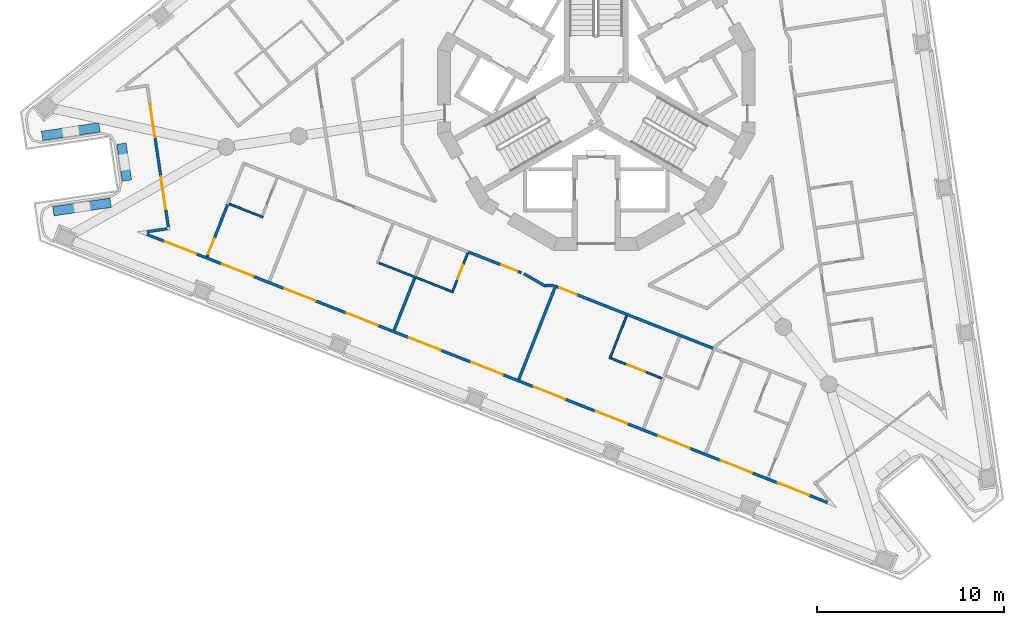
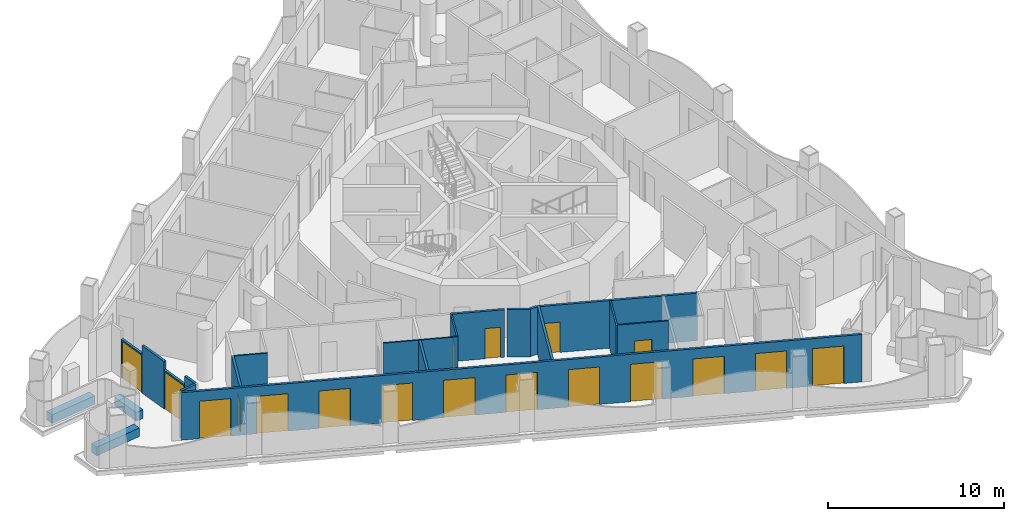
# One storey, part 2 of 16: 21 walls, 18 doors, 18 openings.
"""IFC4 building model written with IfcOpenShell, lengths in metres."""

from ifc_helpers import new_model, si_unit, direction, frame, frame_2d, origin, place, context, subcontext, project, spatial, polyline, rectangle, outline, extrude, material, layer, layer_set, type_object, element, fill, save


model = new_model("IFC4")

# Units and contexts
model_context = context("Model", 3, precision=1e-05, world=origin(), true_north=direction((0.0, 1.0)))
body_context = subcontext(model_context, "Body", "Model", "MODEL_VIEW")
ifc_project = project(units=[si_unit("LENGTHUNIT", "METRE"), si_unit("AREAUNIT", "SQUARE_METRE"), si_unit("VOLUMEUNIT", "CUBIC_METRE"), si_unit("PLANEANGLEUNIT", "RADIAN"), si_unit("MASSUNIT", "GRAM", prefix="KILO")], contexts=[model_context])

# Site, building, storey
site_placement = place(None, origin())
site = spatial("IfcSite", under=ifc_project, at=site_placement, CompositionType="ELEMENT")
building_placement = place(site_placement, origin())
building = spatial("IfcBuilding", under=site, at=building_placement, Name="Trine Commons Tower", CompositionType="ELEMENT")
storey_placement = place(building_placement, frame((0.0, 0.0, 201.60009765625)))
storey = spatial("IfcBuildingStorey", under=building, at=storey_placement, Name="L52", CompositionType="ELEMENT", Elevation=201.60009765625)

# Wall, openings, doors
ifc_material_1 = material(Name="Aluminium-framed insulated wall panel", Category="aluminium")
ifc_layer_1 = layer(ifc_material_1, 0.14990234375)
ifc_layer_set_1 = layer_set([ifc_layer_1], Name="Aluminium-framed insulated wall panel")
wall_type_1 = type_object("IfcWallType", Name="Glazed frame wall 150, EI 60", PredefinedType="SOLIDWALL", material=ifc_layer_set_1)
wall_1_placement = place(storey_placement, frame((92.513916015625, 40.4541015625, 0.0), z_axis=(0.0, 0.0, 1.0), x_axis=(-0.930417922313, 0.3665003272, 0.0)))
wall_1 = element("IfcWall", 1, at=wall_1_placement, inside=storey, type_object=wall_type_1, Name="Glazed frame wall F3", PredefinedType="SOLIDWALL", context=body_context, shape_type="SweptSolid", body=[
    extrude(outline(polyline([(0.1494140625, 0.074951171875), (0.1494140625, -0.074951171875), (39.296875, -0.074951171875), (39.296875, 0.074951171875), (0.1494140625, 0.074951171875)])), origin(), (0.0, 0.0, 1.0), 3.2998046875),
])
opening_1_placement = place(wall_1_placement, frame((1.193115234375, 0.0, 0.0)))
opening_1 = element("IfcOpeningElement", 2, at=opening_1_placement, cuts=wall_1, Name="Opening BD-6F3-01", PredefinedType="OPENING", context=body_context, shape_type="SweptSolid", body=[
    extrude(rectangle(XDim=1.800048828125, YDim=2.60009765625, at=frame_2d((0.89990234375, 1.300048828125))), frame((0.0, 0.0849609375, 0.0), z_axis=(0.0, -1.0, 0.0), x_axis=(1.0, 0.0, 0.0)), (0.0, 0.0, 1.0), 0.169921875),
])
opening_2_placement = place(wall_1_placement, frame((4.47900390625, 0.0, 0.0)))
opening_2 = element("IfcOpeningElement", 3, at=opening_2_placement, cuts=wall_1, Name="Opening BD-6F3-02", PredefinedType="OPENING", context=body_context, shape_type="SweptSolid", body=[
    extrude(rectangle(XDim=1.800048828125, YDim=2.60009765625, at=frame_2d((0.89990234375, 1.300048828125))), frame((0.0, 0.0849609375, 0.0), z_axis=(0.0, -1.0, 0.0), x_axis=(1.0, 0.0, 0.0)), (0.0, 0.0, 1.0), 0.169921875),
])
opening_3_placement = place(wall_1_placement, frame((8.06494140625, 0.0, 0.0)))
opening_3 = element("IfcOpeningElement", 4, at=opening_3_placement, cuts=wall_1, Name="Opening BD-6F3-03", PredefinedType="OPENING", context=body_context, shape_type="SweptSolid", body=[
    extrude(rectangle(XDim=1.800048828125, YDim=2.60009765625, at=frame_2d((0.89990234375, 1.300048828125))), frame((0.0, 0.0849609375, 0.0), z_axis=(0.0, -1.0, 0.0), x_axis=(1.0, 0.0, 0.0)), (0.0, 0.0, 1.0), 0.169921875),
])
opening_4_placement = place(wall_1_placement, frame((11.65087890625, 0.0, 0.0)))
opening_4 = element("IfcOpeningElement", 5, at=opening_4_placement, cuts=wall_1, Name="Opening BD-6F3-04", PredefinedType="OPENING", context=body_context, shape_type="SweptSolid", body=[
    extrude(rectangle(XDim=1.800048828125, YDim=2.60009765625, at=frame_2d((0.89990234375, 1.300048828125))), frame((0.0, 0.0849609375, 0.0), z_axis=(0.0, -1.0, 0.0), x_axis=(1.0, 0.0, 0.0)), (0.0, 0.0, 1.0), 0.169921875),
])
opening_5_placement = place(wall_1_placement, frame((15.237060546875, 0.0, 0.0)))
opening_5 = element("IfcOpeningElement", 6, at=opening_5_placement, cuts=wall_1, Name="Opening BD-6F3-05", PredefinedType="OPENING", context=body_context, shape_type="SweptSolid", body=[
    extrude(rectangle(XDim=1.800048828125, YDim=2.60009765625, at=frame_2d((0.89990234375, 1.300048828125))), frame((0.0, 0.0849609375, 0.0), z_axis=(0.0, -1.0, 0.0), x_axis=(1.0, 0.0, 0.0)), (0.0, 0.0, 1.0), 0.169921875),
])
opening_6_placement = place(wall_1_placement, frame((18.822998046875, 0.0, 0.0)))
opening_6 = element("IfcOpeningElement", 7, at=opening_6_placement, cuts=wall_1, Name="Opening BD-6F3-06", PredefinedType="OPENING", context=body_context, shape_type="SweptSolid", body=[
    extrude(rectangle(XDim=1.800048828125, YDim=2.60009765625, at=frame_2d((0.89990234375, 1.300048828125))), frame((0.0, 0.0849609375, 0.0), z_axis=(0.0, -1.0, 0.0), x_axis=(1.0, 0.0, 0.0)), (0.0, 0.0, 1.0), 0.169921875),
])
opening_7_placement = place(wall_1_placement, frame((22.408935546875, 0.0, 0.0)))
opening_7 = element("IfcOpeningElement", 8, at=opening_7_placement, cuts=wall_1, Name="Opening BD-6F3-07", PredefinedType="OPENING", context=body_context, shape_type="SweptSolid", body=[
    extrude(rectangle(XDim=1.800048828125, YDim=2.60009765625, at=frame_2d((0.89990234375, 1.300048828125))), frame((0.0, 0.0849609375, 0.0), z_axis=(0.0, -1.0, 0.0), x_axis=(1.0, 0.0, 0.0)), (0.0, 0.0, 1.0), 0.169921875),
])
opening_8_placement = place(wall_1_placement, frame((25.9951171875, 0.0, 0.0)))
opening_8 = element("IfcOpeningElement", 9, at=opening_8_placement, cuts=wall_1, Name="Opening BD-6F3-08", PredefinedType="OPENING", context=body_context, shape_type="SweptSolid", body=[
    extrude(rectangle(XDim=1.800048828125, YDim=2.60009765625, at=frame_2d((0.89990234375, 1.300048828125))), frame((0.0, 0.0849609375, 0.0), z_axis=(0.0, -1.0, 0.0), x_axis=(1.0, 0.0, 0.0)), (0.0, 0.0, 1.0), 0.169921875),
])
opening_9_placement = place(wall_1_placement, frame((29.5810546875, 0.0, 0.0)))
opening_9 = element("IfcOpeningElement", 10, at=opening_9_placement, cuts=wall_1, Name="Opening BD-6F3-09", PredefinedType="OPENING", context=body_context, shape_type="SweptSolid", body=[
    extrude(rectangle(XDim=1.800048828125, YDim=2.60009765625, at=frame_2d((0.89990234375, 1.300048828125))), frame((0.0, 0.0849609375, 0.0), z_axis=(0.0, -1.0, 0.0), x_axis=(1.0, 0.0, 0.0)), (0.0, 0.0, 1.0), 0.169921875),
])
opening_10_placement = place(wall_1_placement, frame((33.1669921875, 0.0, 0.0)))
opening_10 = element("IfcOpeningElement", 11, at=opening_10_placement, cuts=wall_1, Name="Opening BD-6F3-10", PredefinedType="OPENING", context=body_context, shape_type="SweptSolid", body=[
    extrude(rectangle(XDim=1.800048828125, YDim=2.60009765625, at=frame_2d((0.89990234375, 1.300048828125))), frame((0.0, 0.0849609375, 0.0), z_axis=(0.0, -1.0, 0.0), x_axis=(1.0, 0.0, 0.0)), (0.0, 0.0, 1.0), 0.169921875),
])
opening_11_placement = place(wall_1_placement, frame((36.452880859375, 0.0, 0.0)))
opening_11 = element("IfcOpeningElement", 12, at=opening_11_placement, cuts=wall_1, Name="Opening BD-6F3-11", PredefinedType="OPENING", context=body_context, shape_type="SweptSolid", body=[
    extrude(rectangle(XDim=1.800048828125, YDim=2.60009765625, at=frame_2d((0.89990234375, 1.300048828125))), frame((0.0, 0.0849609375, 0.0), z_axis=(0.0, -1.0, 0.0), x_axis=(1.0, 0.0, 0.0)), (0.0, 0.0, 1.0), 0.169921875),
])
ifc_material_2 = material(Name="Anodised aluminium frame with double glazing", Category="aluminium")
door_type_1 = type_object("IfcDoorType", Name="Sliding loggia door 1800x2600", OperationType="SLIDING_TO_LEFT", PredefinedType="DOOR", material=ifc_material_2)
door_1_placement = place(opening_1_placement, origin())
door_1 = element("IfcDoor", 13, at=door_1_placement, inside=storey, type_object=door_type_1, Name="Loggia door F3 1", OperationType="SLIDING_TO_LEFT", OverallHeight=2.60009765625, OverallWidth=1.800048828125, PredefinedType="DOOR", context=body_context, shape_type="SweptSolid", body=[
    extrude(rectangle(XDim=1.800048828125, YDim=2.60009765625, at=frame_2d((0.89990234375, 1.300048828125))), frame((0.0, 0.02490234375, 0.0), z_axis=(0.0, -1.0, 0.0), x_axis=(1.0, 0.0, 0.0)), (0.0, 0.0, 1.0), 0.050048828125),
])
fill(opening_1, door_1)
door_2_placement = place(opening_2_placement, origin())
door_2 = element("IfcDoor", 14, at=door_2_placement, inside=storey, type_object=door_type_1, Name="Loggia door F3 2", OperationType="SLIDING_TO_LEFT", OverallHeight=2.60009765625, OverallWidth=1.800048828125, PredefinedType="DOOR", context=body_context, shape_type="SweptSolid", body=[
    extrude(rectangle(XDim=1.800048828125, YDim=2.60009765625, at=frame_2d((0.89990234375, 1.300048828125))), frame((0.0, 0.02490234375, 0.0), z_axis=(0.0, -1.0, 0.0), x_axis=(1.0, 0.0, 0.0)), (0.0, 0.0, 1.0), 0.050048828125),
])
fill(opening_2, door_2)
door_3_placement = place(opening_3_placement, origin())
door_3 = element("IfcDoor", 15, at=door_3_placement, inside=storey, type_object=door_type_1, Name="Loggia door F3 3", OperationType="SLIDING_TO_LEFT", OverallHeight=2.60009765625, OverallWidth=1.800048828125, PredefinedType="DOOR", context=body_context, shape_type="SweptSolid", body=[
    extrude(rectangle(XDim=1.800048828125, YDim=2.60009765625, at=frame_2d((0.89990234375, 1.300048828125))), frame((0.0, 0.02490234375, 0.0), z_axis=(0.0, -1.0, 0.0), x_axis=(1.0, 0.0, 0.0)), (0.0, 0.0, 1.0), 0.050048828125),
])
fill(opening_3, door_3)
door_4_placement = place(opening_4_placement, origin())
door_4 = element("IfcDoor", 16, at=door_4_placement, inside=storey, type_object=door_type_1, Name="Loggia door F3 4", OperationType="SLIDING_TO_LEFT", OverallHeight=2.60009765625, OverallWidth=1.800048828125, PredefinedType="DOOR", context=body_context, shape_type="SweptSolid", body=[
    extrude(rectangle(XDim=1.800048828125, YDim=2.60009765625, at=frame_2d((0.89990234375, 1.300048828125))), frame((0.0, 0.02490234375, 0.0), z_axis=(0.0, -1.0, 0.0), x_axis=(1.0, 0.0, 0.0)), (0.0, 0.0, 1.0), 0.050048828125),
])
fill(opening_4, door_4)
door_5_placement = place(opening_5_placement, origin())
door_5 = element("IfcDoor", 17, at=door_5_placement, inside=storey, type_object=door_type_1, Name="Loggia door F3 5", OperationType="SLIDING_TO_LEFT", OverallHeight=2.60009765625, OverallWidth=1.800048828125, PredefinedType="DOOR", context=body_context, shape_type="SweptSolid", body=[
    extrude(rectangle(XDim=1.800048828125, YDim=2.60009765625, at=frame_2d((0.89990234375, 1.300048828125))), frame((0.0, 0.02490234375, 0.0), z_axis=(0.0, -1.0, 0.0), x_axis=(1.0, 0.0, 0.0)), (0.0, 0.0, 1.0), 0.050048828125),
])
fill(opening_5, door_5)
door_6_placement = place(opening_6_placement, origin())
door_6 = element("IfcDoor", 18, at=door_6_placement, inside=storey, type_object=door_type_1, Name="Loggia door F3 6", OperationType="SLIDING_TO_LEFT", OverallHeight=2.60009765625, OverallWidth=1.800048828125, PredefinedType="DOOR", context=body_context, shape_type="SweptSolid", body=[
    extrude(rectangle(XDim=1.800048828125, YDim=2.60009765625, at=frame_2d((0.89990234375, 1.300048828125))), frame((0.0, 0.02490234375, 0.0), z_axis=(0.0, -1.0, 0.0), x_axis=(1.0, 0.0, 0.0)), (0.0, 0.0, 1.0), 0.050048828125),
])
fill(opening_6, door_6)
door_7_placement = place(opening_7_placement, origin())
door_7 = element("IfcDoor", 19, at=door_7_placement, inside=storey, type_object=door_type_1, Name="Loggia door F3 7", OperationType="SLIDING_TO_LEFT", OverallHeight=2.60009765625, OverallWidth=1.800048828125, PredefinedType="DOOR", context=body_context, shape_type="SweptSolid", body=[
    extrude(rectangle(XDim=1.800048828125, YDim=2.60009765625, at=frame_2d((0.89990234375, 1.300048828125))), frame((0.0, 0.02490234375, 0.0), z_axis=(0.0, -1.0, 0.0), x_axis=(1.0, 0.0, 0.0)), (0.0, 0.0, 1.0), 0.050048828125),
])
fill(opening_7, door_7)
door_8_placement = place(opening_8_placement, origin())
door_8 = element("IfcDoor", 20, at=door_8_placement, inside=storey, type_object=door_type_1, Name="Loggia door F3 8", OperationType="SLIDING_TO_LEFT", OverallHeight=2.60009765625, OverallWidth=1.800048828125, PredefinedType="DOOR", context=body_context, shape_type="SweptSolid", body=[
    extrude(rectangle(XDim=1.800048828125, YDim=2.60009765625, at=frame_2d((0.89990234375, 1.300048828125))), frame((0.0, 0.02490234375, 0.0), z_axis=(0.0, -1.0, 0.0), x_axis=(1.0, 0.0, 0.0)), (0.0, 0.0, 1.0), 0.050048828125),
])
fill(opening_8, door_8)
door_9_placement = place(opening_9_placement, origin())
door_9 = element("IfcDoor", 21, at=door_9_placement, inside=storey, type_object=door_type_1, Name="Loggia door F3 9", OperationType="SLIDING_TO_LEFT", OverallHeight=2.60009765625, OverallWidth=1.800048828125, PredefinedType="DOOR", context=body_context, shape_type="SweptSolid", body=[
    extrude(rectangle(XDim=1.800048828125, YDim=2.60009765625, at=frame_2d((0.89990234375, 1.300048828125))), frame((0.0, 0.02490234375, 0.0), z_axis=(0.0, -1.0, 0.0), x_axis=(1.0, 0.0, 0.0)), (0.0, 0.0, 1.0), 0.050048828125),
])
fill(opening_9, door_9)
door_10_placement = place(opening_10_placement, origin())
door_10 = element("IfcDoor", 22, at=door_10_placement, inside=storey, type_object=door_type_1, Name="Loggia door F3 10", OperationType="SLIDING_TO_LEFT", OverallHeight=2.60009765625, OverallWidth=1.800048828125, PredefinedType="DOOR", context=body_context, shape_type="SweptSolid", body=[
    extrude(rectangle(XDim=1.800048828125, YDim=2.60009765625, at=frame_2d((0.89990234375, 1.300048828125))), frame((0.0, 0.02490234375, 0.0), z_axis=(0.0, -1.0, 0.0), x_axis=(1.0, 0.0, 0.0)), (0.0, 0.0, 1.0), 0.050048828125),
])
fill(opening_10, door_10)
door_11_placement = place(opening_11_placement, origin())
door_11 = element("IfcDoor", 23, at=door_11_placement, inside=storey, type_object=door_type_1, Name="Loggia door F3 11", OperationType="SLIDING_TO_LEFT", OverallHeight=2.60009765625, OverallWidth=1.800048828125, PredefinedType="DOOR", context=body_context, shape_type="SweptSolid", body=[
    extrude(rectangle(XDim=1.800048828125, YDim=2.60009765625, at=frame_2d((0.89990234375, 1.300048828125))), frame((0.0, 0.02490234375, 0.0), z_axis=(0.0, -1.0, 0.0), x_axis=(1.0, 0.0, 0.0)), (0.0, 0.0, 1.0), 0.050048828125),
])
fill(opening_11, door_11)

# Walls
wall_2_placement = place(storey_placement, frame((55.8203125, 54.978515625, 0.0), z_axis=(0.0, 0.0, 1.0), x_axis=(0.98902141065, 0.147772288596, 0.0)))
element("IfcWall", 24, at=wall_2_placement, inside=storey, type_object=wall_type_1, Name="Glazed frame wall R10", PredefinedType="SOLIDWALL", context=body_context, shape_type="SweptSolid", body=[
    extrude(outline(polyline([(0.1494140625, 0.074951171875), (0.1494140625, -0.074951171875), (1.235107421875, -0.074951171875), (1.235107421875, 0.074951171875), (0.1494140625, 0.074951171875)])), origin(), (0.0, 0.0, 1.0), 3.2998046875),
])
wall_3_placement = place(storey_placement, frame((57.12109375, 55.137451171875, 0.0), z_axis=(0.0, 0.0, 1.0), x_axis=(-0.147946480694, 0.988995368468, 0.0)))
element("IfcWall", 25, at=wall_3_placement, inside=storey, type_object=wall_type_1, Name="Glazed frame wall P3.1", PredefinedType="SOLIDWALL", context=body_context, shape_type="SweptSolid", body=[
    extrude(outline(polyline([(0.110107421875, -0.074951171875), (1.0, -0.074951171875), (1.0, 0.074951171875), (0.110107421875, 0.074951171875), (0.110107421875, -0.074951171875)])), origin(), (0.0, 0.0, 1.0), 3.2998046875),
])

# Wall, opening, door
wall_4_placement = place(storey_placement, frame((56.97314453125, 56.12646484375, 0.0), z_axis=(0.0, 0.0, 1.0), x_axis=(-0.147768643441, 0.989021955275, 0.0)))
wall_4 = element("IfcWall", 26, at=wall_4_placement, inside=storey, type_object=wall_type_1, Name="Glazed frame wall P3.2", PredefinedType="SOLIDWALL", context=body_context, shape_type="SweptSolid", body=[
    extrude(outline(polyline([(0.0, -0.074951171875), (1.89990234375, -0.074951171875), (1.89990234375, 0.074951171875), (0.0, 0.074951171875), (0.0, -0.074951171875)])), origin(), (0.0, 0.0, 1.0), 2.699951171875),
])
opening_12_placement = place(wall_4_placement, frame((0.050048828125, 0.0, 0.0)))
opening_12 = element("IfcOpeningElement", 27, at=opening_12_placement, cuts=wall_4, Name="Opening BD-6P3-01", PredefinedType="OPENING", context=body_context, shape_type="SweptSolid", body=[
    extrude(rectangle(XDim=1.800048828125, YDim=2.60009765625, at=frame_2d((0.89990234375, 1.300048828125))), frame((0.0, 0.0849609375, 0.0), z_axis=(0.0, -1.0, 0.0), x_axis=(1.0, 0.0, 0.0)), (0.0, 0.0, 1.0), 0.169921875),
])
door_12_placement = place(opening_12_placement, origin())
door_12 = element("IfcDoor", 28, at=door_12_placement, inside=storey, type_object=door_type_1, Name="Loggia door P3 1", OperationType="SLIDING_TO_LEFT", OverallHeight=2.60009765625, OverallWidth=1.800048828125, PredefinedType="DOOR", context=body_context, shape_type="SweptSolid", body=[
    extrude(rectangle(XDim=1.800048828125, YDim=2.60009765625, at=frame_2d((0.89990234375, 1.300048828125))), frame((0.0, 0.02490234375, 0.0), z_axis=(0.0, -1.0, 0.0), x_axis=(1.0, 0.0, 0.0)), (0.0, 0.0, 1.0), 0.050048828125),
])
fill(opening_12, door_12)

# Wall
wall_5_placement = place(storey_placement, frame((56.6923828125, 58.005615234375, 0.0), z_axis=(0.0, 0.0, 1.0), x_axis=(-0.147827081252, 0.989013222383, 0.0)))
element("IfcWall", 29, at=wall_5_placement, inside=storey, type_object=wall_type_1, Name="Glazed frame wall P3.3", PredefinedType="SOLIDWALL", context=body_context, shape_type="SweptSolid", body=[
    extrude(outline(polyline([(0.0, -0.074951171875), (2.0, -0.074951171875), (2.0, 0.074951171875), (0.0, 0.074951171875), (0.0, -0.074951171875)])), origin(), (0.0, 0.0, 1.0), 3.2998046875),
])

# Wall, opening, door
wall_6_placement = place(storey_placement, frame((56.396728515625, 59.983642578125, 0.0), z_axis=(0.0, 0.0, 1.0), x_axis=(-0.147768643441, 0.989021955275, 0.0)))
wall_6 = element("IfcWall", 30, at=wall_6_placement, inside=storey, type_object=wall_type_1, Name="Glazed frame wall P3.4", PredefinedType="SOLIDWALL", context=body_context, shape_type="SweptSolid", body=[
    extrude(outline(polyline([(0.0, -0.074951171875), (1.89990234375, -0.074951171875), (1.89990234375, 0.074951171875), (0.0, 0.074951171875), (0.0, -0.074951171875)])), origin(), (0.0, 0.0, 1.0), 2.699951171875),
])
opening_13_placement = place(wall_6_placement, frame((0.050048828125, 0.0, 0.0)))
opening_13 = element("IfcOpeningElement", 31, at=opening_13_placement, cuts=wall_6, Name="Opening BD-6P3-02", PredefinedType="OPENING", context=body_context, shape_type="SweptSolid", body=[
    extrude(rectangle(XDim=1.800048828125, YDim=2.60009765625, at=frame_2d((0.89990234375, 1.300048828125))), frame((0.0, 0.0849609375, 0.0), z_axis=(0.0, -1.0, 0.0), x_axis=(1.0, 0.0, 0.0)), (0.0, 0.0, 1.0), 0.169921875),
])
door_13_placement = place(opening_13_placement, origin())
door_13 = element("IfcDoor", 32, at=door_13_placement, inside=storey, type_object=door_type_1, Name="Loggia door P3 2", OperationType="SLIDING_TO_LEFT", OverallHeight=2.60009765625, OverallWidth=1.800048828125, PredefinedType="DOOR", context=body_context, shape_type="SweptSolid", body=[
    extrude(rectangle(XDim=1.800048828125, YDim=2.60009765625, at=frame_2d((0.89990234375, 1.300048828125))), frame((0.0, 0.02490234375, 0.0), z_axis=(0.0, -1.0, 0.0), x_axis=(1.0, 0.0, 0.0)), (0.0, 0.0, 1.0), 0.050048828125),
])
fill(opening_13, door_13)

# Walls
ifc_material_3 = material(Name="Planter trough, precast concrete C40/50", Category="concrete")
ifc_layer_2 = layer(ifc_material_3, 0.5)
ifc_layer_set_2 = layer_set([ifc_layer_2], Name="Planter trough, precast concrete C40/50")
wall_type_2 = type_object("IfcWallType", Name="Planter trough 500x600", PredefinedType="PARAPET", material=ifc_layer_set_2)
wall_7_placement = place(storey_placement, frame((50.94677734375, 56.09521484375, 0.0), z_axis=(0.0, 0.0, 1.0), x_axis=(0.989011904818, 0.147835895942, 0.0)))
element("IfcWall", 33, at=wall_7_placement, inside=storey, type_object=wall_type_2, Name="Planter 1", PredefinedType="PARAPET", context=body_context, shape_type="SweptSolid", body=[
    extrude(rectangle(XDim=3.099853515625, YDim=0.5, at=frame_2d((1.5498046875, 0.0))), origin(), (0.0, 0.0, 1.0), 0.599853515625),
])
wall_8_placement = place(storey_placement, frame((54.887451171875, 57.73583984375, 0.0), z_axis=(0.0, 0.0, 1.0), x_axis=(-0.147827081252, 0.989013222383, 0.0)))
element("IfcWall", 34, at=wall_8_placement, inside=storey, type_object=wall_type_2, Name="Planter 2", PredefinedType="PARAPET", context=body_context, shape_type="SweptSolid", body=[
    extrude(rectangle(XDim=2.0, YDim=0.5, at=frame_2d((1.0, 0.0))), origin(), (0.0, 0.0, 1.0), 0.599853515625),
])
wall_9_placement = place(storey_placement, frame((53.409423828125, 60.588623046875, 0.0), z_axis=(0.0, 0.0, 1.0), x_axis=(-0.989013625991, -0.147824380951, 0.0)))
element("IfcWall", 35, at=wall_9_placement, inside=storey, type_object=wall_type_2, Name="Planter 3", PredefinedType="PARAPET", context=body_context, shape_type="SweptSolid", body=[
    extrude(rectangle(XDim=3.099853515625, YDim=0.5, at=frame_2d((1.5498046875, 0.0))), origin(), (0.0, 0.0, 1.0), 0.599853515625),
])

# Wall, opening, door
ifc_material_4 = material(Name="Gypsum plasterboard on steel stud", Category="steel")
ifc_layer_3 = layer(ifc_material_4, 0.14990234375)
ifc_layer_set_3 = layer_set([ifc_layer_3], Name="Gypsum plasterboard on steel stud")
wall_type_3 = type_object("IfcWallType", Name="Unit and corridor wall 150 mm, EI 60", PredefinedType="PARTITIONING", material=ifc_layer_set_3)
wall_10_placement = place(storey_placement, frame((59.1767578125, 53.666259765625, 0.0), z_axis=(0.0, 0.0, 1.0), x_axis=(0.366482728763, 0.93042485431, 0.0)))
wall_10 = element("IfcWall", 36, at=wall_10_placement, inside=storey, type_object=wall_type_3, Name="Partition 002", PredefinedType="PARTITIONING", context=body_context, shape_type="SweptSolid", body=[
    extrude(rectangle(XDim=3.06494140625, YDim=0.14990234375, at=frame_2d((1.532470703125, 0.0))), origin(), (0.0, 0.0, 1.0), 3.2998046875),
])
opening_14_placement = place(wall_10_placement, frame((0.14990234375, 0.0, 0.0)))
opening_14 = element("IfcOpeningElement", 37, at=opening_14_placement, cuts=wall_10, Name="Opening D-6A25", PredefinedType="OPENING", context=body_context, shape_type="SweptSolid", body=[
    extrude(rectangle(XDim=0.89990234375, YDim=2.10009765625, at=frame_2d((0.449951171875, 1.050048828125))), frame((0.0, 0.0849609375, 0.0), z_axis=(0.0, -1.0, 0.0), x_axis=(1.0, 0.0, 0.0)), (0.0, 0.0, 1.0), 0.169921875),
])
ifc_material_5 = material(Name="Timber fire door set", Category="wood")
door_type_2 = type_object("IfcDoorType", Name="Bedroom door 900 x 2100, FD30S", OperationType="NOTDEFINED", PredefinedType="DOOR", material=ifc_material_5)
door_14_placement = place(opening_14_placement, frame((0.89990234375, 0.0, 0.0), z_axis=(0.0, 0.0, 1.0), x_axis=(-1.0, 0.0, 0.0)))
door_14 = element("IfcDoor", 38, at=door_14_placement, inside=storey, type_object=door_type_2, Name="Door D-6A25", OperationType="SINGLE_SWING_RIGHT", OverallHeight=2.10009765625, OverallWidth=0.89990234375, PredefinedType="DOOR", context=body_context, shape_type="SweptSolid", body=[
    extrude(rectangle(XDim=0.89990234375, YDim=2.10009765625, at=frame_2d((0.449951171875, 1.050048828125))), frame((0.0, 0.02490234375, 0.0), z_axis=(0.0, -1.0, 0.0), x_axis=(1.0, 0.0, 0.0)), (0.0, 0.0, 1.0), 0.050048828125),
])
fill(opening_14, door_14)

# Wall
wall_11_placement = place(storey_placement, frame((69.185791015625, 49.72412109375, 0.0), z_axis=(0.0, 0.0, 1.0), x_axis=(0.3667713117, 0.930311133392, 0.0)))
element("IfcWall", 39, at=wall_11_placement, inside=storey, type_object=wall_type_3, Name="Partition 030", PredefinedType="PARTITIONING", context=body_context, shape_type="SweptSolid", body=[
    extrude(rectangle(XDim=3.010009765625, YDim=0.14990234375, at=frame_2d((1.5048828125, 0.0))), origin(), (0.0, 0.0, 1.0), 3.2998046875),
])

# Wall, opening, door
wall_12_placement = place(storey_placement, frame((73.1005859375, 53.9423828125, 0.0), z_axis=(0.0, 0.0, 1.0), x_axis=(0.930438385979, -0.366448372758, 0.0)))
wall_12 = element("IfcWall", 40, at=wall_12_placement, inside=storey, type_object=wall_type_3, Name="Partition 040", PredefinedType="PARTITIONING", context=body_context, shape_type="SweptSolid", body=[
    extrude(rectangle(XDim=3.112060546875, YDim=0.14990234375, at=frame_2d((1.55615234375, 0.0))), origin(), (0.0, 0.0, 1.0), 3.2998046875),
])
opening_15_placement = place(wall_12_placement, frame((1.974853515625, 0.0, 0.0)))
opening_15 = element("IfcOpeningElement", 41, at=opening_15_placement, cuts=wall_12, Name="Opening D-6A23", PredefinedType="OPENING", context=body_context, shape_type="SweptSolid", body=[
    extrude(rectangle(XDim=0.89990234375, YDim=2.10009765625, at=frame_2d((0.449951171875, 1.050048828125))), frame((0.0, 0.0849609375, 0.0), z_axis=(0.0, -1.0, 0.0), x_axis=(1.0, 0.0, 0.0)), (0.0, 0.0, 1.0), 0.169921875),
])
door_15_placement = place(opening_15_placement, frame((0.89990234375, 0.0, 0.0), z_axis=(0.0, 0.0, 1.0), x_axis=(-1.0, 0.0, 0.0)))
door_15 = element("IfcDoor", 42, at=door_15_placement, inside=storey, type_object=door_type_2, Name="Door D-6A23", OperationType="SINGLE_SWING_LEFT", OverallHeight=2.10009765625, OverallWidth=0.89990234375, PredefinedType="DOOR", context=body_context, shape_type="SweptSolid", body=[
    extrude(rectangle(XDim=0.89990234375, YDim=2.10009765625, at=frame_2d((0.449951171875, 1.050048828125))), frame((0.0, 0.02490234375, 0.0), z_axis=(0.0, -1.0, 0.0), x_axis=(1.0, 0.0, 0.0)), (0.0, 0.0, 1.0), 0.050048828125),
])
fill(opening_15, door_15)

# Walls
wall_13_placement = place(storey_placement, frame((75.858642578125, 47.09521484375, 0.0), z_axis=(0.0, 0.0, 1.0), x_axis=(0.366669445619, 0.93035128723, 0.0)))
element("IfcWall", 43, at=wall_13_placement, inside=storey, type_object=wall_type_3, Name="Partition 046", PredefinedType="PARTITIONING", context=body_context, shape_type="SweptSolid", body=[
    extrude(rectangle(XDim=5.435302734375, YDim=0.14990234375, at=frame_2d((2.7177734375, 0.0))), origin(), (0.0, 0.0, 1.0), 3.2998046875),
])
wall_14_placement = place(storey_placement, frame((76.131103515625, 52.75390625, 0.0), z_axis=(0.0, 0.0, 1.0), x_axis=(0.865910926182, -0.500198228624, 0.0)))
element("IfcWall", 44, at=wall_14_placement, inside=storey, type_object=wall_type_3, Name="Partition 047", PredefinedType="PARTITIONING", context=body_context, shape_type="SweptSolid", body=[
    extrude(rectangle(XDim=1.33251953125, YDim=0.14990234375, at=frame_2d((0.666259765625, 0.0))), origin(), (0.0, 0.0, 1.0), 3.2998046875),
])
wall_15_placement = place(storey_placement, frame((77.294921875, 52.125, 0.0), z_axis=(0.0, 0.0, 1.0), x_axis=(1.0, 0.0, 0.0)))
element("IfcWall", 45, at=wall_15_placement, inside=storey, type_object=wall_type_3, Name="Partition 050", PredefinedType="PARTITIONING", context=body_context, shape_type="SweptSolid", body=[
    extrude(rectangle(XDim=0.43212890625, YDim=0.14990234375, at=frame_2d((0.216064453125, 0.0))), origin(), (0.0, 0.0, 1.0), 3.2998046875),
])

# Wall, opening, door
wall_16_placement = place(storey_placement, frame((77.890869140625, 52.056396484375, 0.0), z_axis=(0.0, 0.0, 1.0), x_axis=(0.930403660154, -0.366536531837, 0.0)))
wall_16 = element("IfcWall", 46, at=wall_16_placement, inside=storey, type_object=wall_type_3, Name="Partition 054", PredefinedType="PARTITIONING", context=body_context, shape_type="SweptSolid", body=[
    extrude(rectangle(XDim=9.0625, YDim=0.14990234375, at=frame_2d((4.53125, 0.0))), origin(), (0.0, 0.0, 1.0), 3.2998046875),
])
opening_16_placement = place(wall_16_placement, frame((0.14990234375, 0.0, 0.0)))
opening_16 = element("IfcOpeningElement", 47, at=opening_16_placement, cuts=wall_16, Name="Opening D-6A22", PredefinedType="OPENING", context=body_context, shape_type="SweptSolid", body=[
    extrude(rectangle(XDim=1.0, YDim=2.10009765625, at=frame_2d((0.5, 1.050048828125))), frame((0.0, 0.0849609375, 0.0), z_axis=(0.0, -1.0, 0.0), x_axis=(1.0, 0.0, 0.0)), (0.0, 0.0, 1.0), 0.169921875),
])
door_type_3 = type_object("IfcDoorType", Name="Bedroom door 1000 x 2100, FD30S", OperationType="NOTDEFINED", PredefinedType="DOOR", material=ifc_material_5)
door_16_placement = place(opening_16_placement, frame((1.0, 0.0, 0.0), z_axis=(0.0, 0.0, 1.0), x_axis=(-1.0, 0.0, 0.0)))
door_16 = element("IfcDoor", 48, at=door_16_placement, inside=storey, type_object=door_type_3, Name="Door D-6A22", OperationType="SINGLE_SWING_RIGHT", OverallHeight=2.10009765625, OverallWidth=1.0, PredefinedType="DOOR", context=body_context, shape_type="SweptSolid", body=[
    extrude(rectangle(XDim=1.0, YDim=2.10009765625, at=frame_2d((0.5, 1.050048828125))), frame((0.0, 0.02490234375, 0.0), z_axis=(0.0, -1.0, 0.0), x_axis=(1.0, 0.0, 0.0)), (0.0, 0.0, 1.0), 0.050048828125),
])
fill(opening_16, door_16)

# Walls
ifc_layer_4 = layer(ifc_material_4, 0.10009765625)
ifc_layer_set_4 = layer_set([ifc_layer_4], Name="Gypsum plasterboard on steel stud")
wall_type_4 = type_object("IfcWallType", Name="Unit partition 100 mm, no rating", PredefinedType="PARTITIONING", material=ifc_layer_set_4)
wall_17_placement = place(storey_placement, frame((60.367919921875, 56.486572265625, 0.0), z_axis=(0.0, 0.0, 1.0), x_axis=(0.930396600114, -0.366554452294, 0.0)))
element("IfcWall", 49, at=wall_17_placement, inside=storey, type_object=wall_type_4, Name="Partition 005", PredefinedType="PARTITIONING", context=body_context, shape_type="SweptSolid", body=[
    extrude(rectangle(XDim=1.925537109375, YDim=0.10009765625, at=frame_2d((0.962890625, 0.0))), origin(), (0.0, 0.0, 1.0), 3.2998046875),
])
wall_18_placement = place(storey_placement, frame((68.353515625, 53.3408203125, 0.0), z_axis=(0.0, 0.0, 1.0), x_axis=(0.930406046035, -0.366530475543, 0.0)))
element("IfcWall", 50, at=wall_18_placement, inside=storey, type_object=wall_type_4, Name="Partition 028", PredefinedType="PARTITIONING", context=body_context, shape_type="SweptSolid", body=[
    extrude(rectangle(XDim=4.30029296875, YDim=0.10009765625, at=frame_2d((2.150146484375, 0.0))), origin(), (0.0, 0.0, 1.0), 3.2998046875),
])

# Wall, opening, door
wall_19_placement = place(storey_placement, frame((72.326416015625, 51.82958984375, 0.0), z_axis=(0.0, 0.0, 1.0), x_axis=(0.366489184141, 0.930422311592, 0.0)))
wall_19 = element("IfcWall", 51, at=wall_19_placement, inside=storey, type_object=wall_type_4, Name="Partition 038", PredefinedType="PARTITIONING", context=body_context, shape_type="SweptSolid", body=[
    extrude(rectangle(XDim=2.175048828125, YDim=0.10009765625, at=frame_2d((1.08740234375, 0.0))), origin(), (0.0, 0.0, 1.0), 3.2998046875),
])
opening_17_placement = place(wall_19_placement, frame((0.6875, 0.0, 0.0)))
opening_17 = element("IfcOpeningElement", 52, at=opening_17_placement, cuts=wall_19, Name="Opening D-6A43", PredefinedType="OPENING", context=body_context, shape_type="SweptSolid", body=[
    extrude(rectangle(XDim=0.800048828125, YDim=2.10009765625, at=frame_2d((0.39990234375, 1.050048828125))), frame((0.0, 0.06005859375, 0.0), z_axis=(0.0, -1.0, 0.0), x_axis=(1.0, 0.0, 0.0)), (0.0, 0.0, 1.0), 0.1201171875),
])
ifc_material_6 = material(Name="Painted timber", Category="wood")
door_type_4 = type_object("IfcDoorType", Name="Internal door 800 x 2100, NOT RATED", OperationType="NOTDEFINED", PredefinedType="DOOR", material=ifc_material_6)
door_17_placement = place(opening_17_placement, frame((0.800048828125, 0.0, 0.0), z_axis=(0.0, 0.0, 1.0), x_axis=(-1.0, 0.0, 0.0)))
door_17 = element("IfcDoor", 53, at=door_17_placement, inside=storey, type_object=door_type_4, Name="Door D-6A43", OperationType="SINGLE_SWING_LEFT", OverallHeight=2.10009765625, OverallWidth=0.800048828125, PredefinedType="DOOR", context=body_context, shape_type="SweptSolid", body=[
    extrude(rectangle(XDim=0.800048828125, YDim=2.10009765625, at=frame_2d((0.39990234375, 1.050048828125))), frame((0.0, 0.02490234375, 0.0), z_axis=(0.0, -1.0, 0.0), x_axis=(1.0, 0.0, 0.0)), (0.0, 0.0, 1.0), 0.050048828125),
])
fill(opening_17, door_17)

# Wall
wall_20_placement = place(storey_placement, frame((80.7236328125, 48.199462890625, 0.0), z_axis=(0.0, 0.0, 1.0), x_axis=(0.366811693538, 0.930295212007, 0.0)))
element("IfcWall", 54, at=wall_20_placement, inside=storey, type_object=wall_type_4, Name="Partition 059", PredefinedType="PARTITIONING", context=body_context, shape_type="SweptSolid", body=[
    extrude(rectangle(XDim=2.475341796875, YDim=0.10009765625, at=frame_2d((1.23779296875, 0.0))), origin(), (0.0, 0.0, 1.0), 3.2998046875),
])

# Wall, opening, door
wall_21_placement = place(storey_placement, frame((80.78857421875, 48.227783203125, 0.0), z_axis=(0.0, 0.0, 1.0), x_axis=(0.930398043032, -0.366550789827, 0.0)))
wall_21 = element("IfcWall", 55, at=wall_21_placement, inside=storey, type_object=wall_type_4, Name="Partition 060", PredefinedType="PARTITIONING", context=body_context, shape_type="SweptSolid", body=[
    extrude(rectangle(XDim=2.92529296875, YDim=0.10009765625, at=frame_2d((1.462646484375, 0.0))), origin(), (0.0, 0.0, 1.0), 3.2998046875),
])
opening_18_placement = place(wall_21_placement, frame((0.962646484375, 0.0, 0.0)))
opening_18 = element("IfcOpeningElement", 56, at=opening_18_placement, cuts=wall_21, Name="Opening D-6A42", PredefinedType="OPENING", context=body_context, shape_type="SweptSolid", body=[
    extrude(rectangle(XDim=1.0, YDim=2.10009765625, at=frame_2d((0.5, 1.050048828125))), frame((0.0, 0.06005859375, 0.0), z_axis=(0.0, -1.0, 0.0), x_axis=(1.0, 0.0, 0.0)), (0.0, 0.0, 1.0), 0.1201171875),
])
door_type_5 = type_object("IfcDoorType", Name="Internal door 1000 x 2100, NOT RATED", OperationType="NOTDEFINED", PredefinedType="DOOR", material=ifc_material_6)
door_18_placement = place(opening_18_placement, frame((1.0, 0.0, 0.0), z_axis=(0.0, 0.0, 1.0), x_axis=(-1.0, 0.0, 0.0)))
door_18 = element("IfcDoor", 57, at=door_18_placement, inside=storey, type_object=door_type_5, Name="Door D-6A42", OperationType="SINGLE_SWING_LEFT", OverallHeight=2.10009765625, OverallWidth=1.0, PredefinedType="DOOR", context=body_context, shape_type="SweptSolid", body=[
    extrude(rectangle(XDim=1.0, YDim=2.10009765625, at=frame_2d((0.5, 1.050048828125))), frame((0.0, 0.02490234375, 0.0), z_axis=(0.0, -1.0, 0.0), x_axis=(1.0, 0.0, 0.0)), (0.0, 0.0, 1.0), 0.050048828125),
])
fill(opening_18, door_18)

save(model, "model.ifc")
